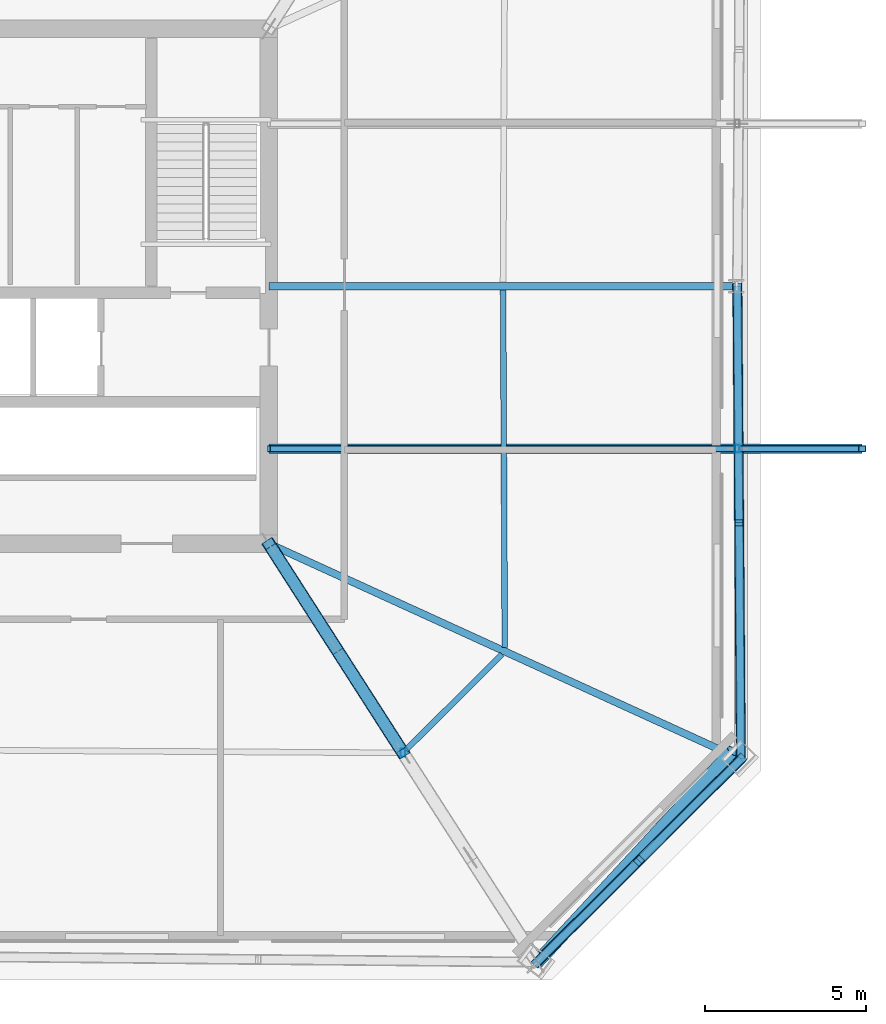
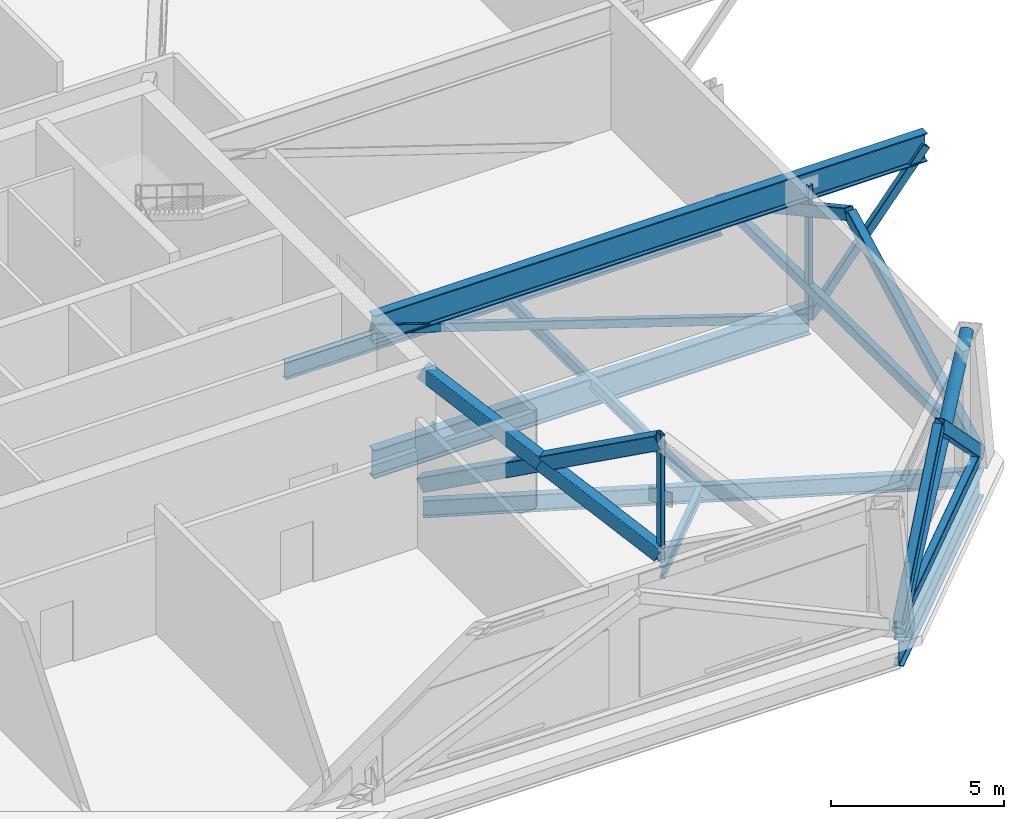
# One storey, part 4 of 15: 14 members, 7 beams.
"""IFC4 building model written with IfcOpenShell, lengths in metres."""

from ifc_helpers import new_model, si_unit, direction, frame, origin, origin_2d, place, context, subcontext, project, spatial, hollow_rectangle, hollow_circle, i_section, extrude, material, material_profile, profile_set, type_object, element, save


model = new_model("IFC4")

# Units and contexts
model_context = context("Model", 3, precision=1e-05, world=origin(), true_north=direction((0.0, 1.0)))
body_context = subcontext(model_context, "Body", "Model", "MODEL_VIEW")
ifc_project = project(units=[si_unit("LENGTHUNIT", "METRE"), si_unit("AREAUNIT", "SQUARE_METRE"), si_unit("VOLUMEUNIT", "CUBIC_METRE"), si_unit("PLANEANGLEUNIT", "RADIAN"), si_unit("MASSUNIT", "GRAM", prefix="KILO")], contexts=[model_context])

# Site, building, storey
site_placement = place(None, origin())
site = spatial("IfcSite", under=ifc_project, at=site_placement, CompositionType="ELEMENT")
building_placement = place(site_placement, origin())
building = spatial("IfcBuilding", under=site, at=building_placement, Name="Caelvoria Tower", CompositionType="ELEMENT")
storey_placement = place(building_placement, frame((0.0, 0.0, 167.199951171875)))
storey = spatial("IfcBuildingStorey", under=building, at=storey_placement, Name="L44", CompositionType="ELEMENT", Elevation=167.199951171875)

# Members
ifc_material_1 = material(Name="Structural Steel ASTM A572 Gr.50", Category="steel")
ifc_material_profile_1 = material_profile(ifc_material_1, hollow_rectangle(XDim=0.25, YDim=0.35009765625, WallThickness=0.013916015625, InnerFilletRadius=0.013916015625, OuterFilletRadius=0.028076171875, at=origin_2d()), Name="Structural Steel ASTM A572 Gr.50")
ifc_profile_set_1 = profile_set([ifc_material_profile_1], Name="HSS350X250X14 - Structural Steel ASTM A572 Gr.50")
member_type_1 = type_object("IfcMemberType", Name="Belt Truss Chord Member HSS350X250X14", PredefinedType="CHORD", material=ifc_profile_set_1)
member_1_placement = place(storey_placement, frame((63.341552734375, 10.9951171875, 0.25), z_axis=(0.708349364736, 0.705862010224, 0.0), x_axis=(-0.705862010224, 0.708349364736, 0.0)))
element("IfcMember", 1, at=member_1_placement, inside=storey, type_object=member_type_1, Name="Belt Truss Bottom Chord L44-02", PredefinedType="CHORD", context=body_context, shape_type="SweptSolid", body=[
    extrude(hollow_rectangle(XDim=0.25, YDim=0.35009765625, WallThickness=0.013916015625, InnerFilletRadius=0.013916015625, OuterFilletRadius=0.028076171875, at=origin_2d()), origin(), (0.0, 0.0, 1.0), 8.931884765625),
])
member_2_placement = place(storey_placement, frame((69.66845703125, 17.2998046875, 0.25), z_axis=(-0.007373744922, 0.999972813573, 0.0), x_axis=(-0.999972813573, -0.007373744922, 0.0)))
element("IfcMember", 2, at=member_2_placement, inside=storey, type_object=member_type_1, Name="Belt Truss Bottom Chord L44-03", PredefinedType="CHORD", context=body_context, shape_type="SweptSolid", body=[
    extrude(hollow_rectangle(XDim=0.25, YDim=0.35009765625, WallThickness=0.013916015625, InnerFilletRadius=0.013916015625, OuterFilletRadius=0.028076171875, at=origin_2d()), origin(), (0.0, 0.0, 1.0), 14.70068359375),
])
ifc_material_profile_2 = material_profile(ifc_material_1, hollow_rectangle(XDim=0.300048828125, YDim=0.39990234375, WallThickness=0.01611328125, InnerFilletRadius=0.01611328125, OuterFilletRadius=0.031982421875, at=origin_2d()), Name="Structural Steel ASTM A572 Gr.50")
ifc_profile_set_2 = profile_set([ifc_material_profile_2], Name="HSS400X300X16 - Structural Steel ASTM A572 Gr.50")
member_type_2 = type_object("IfcMemberType", Name="Belt Truss Diagonal HSS400X300X16", PredefinedType="BRACE", material=ifc_profile_set_2)
member_3_placement = place(storey_placement, frame((63.341552734375, 10.9951171875, 0.25), z_axis=(0.528797847703, 0.527002130693, 0.665313152215), x_axis=(-0.70590310466, 0.708308412227, 0.0)))
element("IfcMember", 3, at=member_3_placement, inside=storey, type_object=member_type_2, Name="Belt Truss Diagonal L44-02A", PredefinedType="BRACE", context=body_context, shape_type="SweptSolid", body=[
    extrude(hollow_rectangle(XDim=0.300048828125, YDim=0.39990234375, WallThickness=0.01611328125, InnerFilletRadius=0.01611328125, OuterFilletRadius=0.031982421875, at=origin_2d()), origin(), (0.0, 0.0, 1.0), 5.982177734375),
])
member_4_placement = place(storey_placement, frame((66.5048828125, 14.147705078125, 4.22998046875), z_axis=(0.528849993057, 0.526931799688, -0.66532741062), x_axis=(-0.705820911832, 0.708390316437, 0.0)))
element("IfcMember", 4, at=member_4_placement, inside=storey, type_object=member_type_2, Name="Belt Truss Diagonal L44-02B", PredefinedType="BRACE", context=body_context, shape_type="SweptSolid", body=[
    extrude(hollow_rectangle(XDim=0.300048828125, YDim=0.39990234375, WallThickness=0.01611328125, InnerFilletRadius=0.01611328125, OuterFilletRadius=0.031982421875, at=origin_2d()), origin(), (0.0, 0.0, 1.0), 5.98193359375),
])
for number, where, z_axis, x_axis, name in (
    (5, (69.66845703125, 17.2998046875, 0.25), (-0.006484203153, 0.879339730318, 0.476150809926), (-0.999972813573, -0.007373744922, 0.0), "Belt Truss Diagonal L44-03A"),
    (6, (69.6142578125, 24.64990234375, 4.22998046875), (-0.006484203153, 0.879339730318, -0.476150809926), (-0.999972813573, -0.007373744922, 0.0), "Belt Truss Diagonal L44-03B"),
):
    element("IfcMember", number, at=place(storey_placement, frame(where, z_axis=z_axis, x_axis=x_axis)), inside=storey, type_object=member_type_2, Name=name, PredefinedType="BRACE", context=body_context, shape_type="SweptSolid", body=[
        extrude(hollow_rectangle(XDim=0.300048828125, YDim=0.39990234375, WallThickness=0.01611328125, InnerFilletRadius=0.01611328125, OuterFilletRadius=0.031982421875, at=origin_2d()), origin(), (0.0, 0.0, 1.0), 8.358642578125),
    ])
ifc_material_profile_3 = material_profile(ifc_material_1, hollow_rectangle(XDim=0.39990234375, YDim=0.5, WallThickness=0.02197265625, InnerFilletRadius=0.02197265625, OuterFilletRadius=0.0439453125, at=origin_2d()), Name="Structural Steel ASTM A572 Gr.50")
ifc_profile_set_3 = profile_set([ifc_material_profile_3], Name="HSS500X400X22 - Structural Steel ASTM A572 Gr.50")
member_type_3 = type_object("IfcMemberType", Name="Outrigger Diagonal HSS500X400X22", PredefinedType="BRACE", material=ifc_profile_set_3)
member_5_placement = place(storey_placement, frame((55.0, 24.0, 0.25), z_axis=(0.479958044206, -0.748255827054, 0.457988529422), x_axis=(0.841722265045, 0.539910759782, 0.0)))
element("IfcMember", 7, at=member_5_placement, inside=storey, type_object=member_type_3, Name="Outrigger Truss Diagonal L44-SE-1A", PredefinedType="BRACE", context=body_context, shape_type="SweptSolid", body=[
    extrude(hollow_rectangle(XDim=0.39990234375, YDim=0.5, WallThickness=0.02197265625, InnerFilletRadius=0.02197265625, OuterFilletRadius=0.0439453125, at=origin_2d()), origin(), (0.0, 0.0, 1.0), 8.690185546875),
])
for number, where, z_axis, x_axis, name in (
    (8, (55.0, 24.0, 4.22998046875), (0.479958044206, -0.748255827054, -0.457988529422), (0.841722265045, 0.539910759782, 0.0), "Outrigger Truss Diagonal L44-SE-1B1"),
    (9, (57.08544921875, 20.748779296875, 2.239990234375), (0.479958044206, -0.748255827054, -0.457988529422), (0.841722265045, 0.539910759782, 0.0), "Outrigger Truss Diagonal L44-SE-1B2"),
):
    element("IfcMember", number, at=place(storey_placement, frame(where, z_axis=z_axis, x_axis=x_axis)), inside=storey, type_object=member_type_3, Name=name, PredefinedType="BRACE", context=body_context, shape_type="SweptSolid", body=[
        extrude(hollow_rectangle(XDim=0.39990234375, YDim=0.5, WallThickness=0.02197265625, InnerFilletRadius=0.02197265625, OuterFilletRadius=0.0439453125, at=origin_2d()), origin(), (0.0, 0.0, 1.0), 4.344970703125),
    ])

# Beams
ifc_material_2 = material(Name="Structural Steel ASTM A992 Gr.50", Category="steel")
ifc_material_profile_4 = material_profile(ifc_material_2, i_section(OverallWidth=0.30810546875, OverallDepth=0.927001953125, WebThickness=0.019287109375, FlangeThickness=0.031982421875, FilletRadius=0.02392578125, at=origin_2d()), Name="Structural Steel ASTM A992 Gr.50")
ifc_profile_set_4 = profile_set([ifc_material_profile_4], Name="W920X289 - Structural Steel ASTM A992 Gr.50")
beam_type_1 = type_object("IfcBeamType", Name="Outrigger Tie Girder W920X289", PredefinedType="BEAM", material=ifc_profile_set_4)
beam_1_placement = place(storey_placement, frame((63.341552734375, 10.9951171875, -0.783447265625), z_axis=(0.708349364736, 0.705862010224, 0.0), x_axis=(-0.705862010224, 0.708349364736, 0.0)))
element("IfcBeam", 10, at=beam_1_placement, inside=storey, type_object=beam_type_1, Name="Perimeter Spandrel Girder L44-02", PredefinedType="BEAM", context=body_context, shape_type="SweptSolid", body=[
    extrude(i_section(OverallWidth=0.30810546875, OverallDepth=0.927001953125, WebThickness=0.019287109375, FlangeThickness=0.031982421875, FilletRadius=0.02392578125, at=origin_2d()), origin(), (0.0, 0.0, 1.0), 8.931884765625),
])
ifc_material_profile_5 = material_profile(ifc_material_2, i_section(OverallWidth=0.22802734375, OverallDepth=0.60302734375, WebThickness=0.010498046875, FlangeThickness=0.014892578125, FilletRadius=0.01806640625, at=origin_2d()), Name="Structural Steel ASTM A992 Gr.50")
ifc_profile_set_5 = profile_set([ifc_material_profile_5], Name="W610X101 - Structural Steel ASTM A992 Gr.50")
beam_type_2 = type_object("IfcBeamType", Name="Primary Floor Girder W610X101", PredefinedType="BEAM", material=ifc_profile_set_5)
beam_2_placement = place(storey_placement, frame((55.0, 24.0, -0.621337890625), z_axis=(0.909600700285, -0.415483532816, 0.0), x_axis=(0.415483532816, 0.909600700285, 0.0)))
element("IfcBeam", 11, at=beam_2_placement, inside=storey, type_object=beam_type_2, Name="Primary Floor Girder L44-03", PredefinedType="BEAM", context=body_context, shape_type="SweptSolid", body=[
    extrude(i_section(OverallWidth=0.22802734375, OverallDepth=0.60302734375, WebThickness=0.010498046875, FlangeThickness=0.014892578125, FilletRadius=0.01806640625, at=origin_2d()), origin(), (0.0, 0.0, 1.0), 16.126220703125),
])
beam_3_placement = place(storey_placement, frame((55.0, 32.0, -0.621337890625), z_axis=(1.0, 0.0, 0.0), x_axis=(0.0, 1.0, 0.0)))
element("IfcBeam", 12, at=beam_3_placement, inside=storey, type_object=beam_type_2, Name="Primary Floor Girder L44-04", PredefinedType="BEAM", context=body_context, shape_type="SweptSolid", body=[
    extrude(i_section(OverallWidth=0.22802734375, OverallDepth=0.60302734375, WebThickness=0.010498046875, FlangeThickness=0.014892578125, FilletRadius=0.01806640625, at=origin_2d()), origin(), (0.0, 0.0, 1.0), 14.56005859375),
])
ifc_material_profile_6 = material_profile(ifc_material_2, i_section(OverallWidth=0.177978515625, OverallDepth=0.406982421875, WebThickness=0.0078125, FlangeThickness=0.0126953125, FilletRadius=0.013916015625, at=origin_2d()), Name="Structural Steel ASTM A992 Gr.50")
ifc_profile_set_6 = profile_set([ifc_material_profile_6], Name="W410X60 - Structural Steel ASTM A992 Gr.50")
beam_type_3 = type_object("IfcBeamType", Name="Secondary Floor Beam W410X60", PredefinedType="BEAM", material=ifc_profile_set_6)
beam_4_placement = place(storey_placement, frame((59.25927734375, 17.585693359375, -0.5234375), z_axis=(0.708321788303, 0.705889682751, 0.0), x_axis=(-0.705889682751, 0.708321788303, 0.0)))
element("IfcBeam", 13, at=beam_4_placement, inside=storey, type_object=beam_type_3, Name="Secondary Floor Beam L44-02", PredefinedType="BEAM", context=body_context, shape_type="SweptSolid", body=[
    extrude(i_section(OverallWidth=0.177978515625, OverallDepth=0.406982421875, WebThickness=0.0078125, FlangeThickness=0.0126953125, FilletRadius=0.013916015625, at=origin_2d()), origin(), (0.0, 0.0, 1.0), 4.216064453125),
])
beam_5_placement = place(storey_placement, frame((62.33349609375, 20.77490234375, -0.5234375), z_axis=(-0.004772742895, 0.999988610398, 0.0), x_axis=(-0.999988610398, -0.004772742895, 0.0)))
element("IfcBeam", 14, at=beam_5_placement, inside=storey, type_object=beam_type_3, Name="Secondary Floor Beam L44-03", PredefinedType="BEAM", context=body_context, shape_type="SweptSolid", body=[
    extrude(i_section(OverallWidth=0.177978515625, OverallDepth=0.406982421875, WebThickness=0.0078125, FlangeThickness=0.0126953125, FilletRadius=0.013916015625, at=origin_2d()), origin(), (0.0, 0.0, 1.0), 11.100341796875),
])
ifc_material_3 = material(Name="Structural Steel ASTM A913 Gr.65", Category="steel")
ifc_material_profile_7 = material_profile(ifc_material_3, i_section(OverallWidth=0.300048828125, OverallDepth=1.0, WebThickness=0.02099609375, FlangeThickness=0.035888671875, FilletRadius=0.02490234375, at=origin_2d()), Name="Structural Steel ASTM A913 Gr.65")
ifc_profile_set_7 = profile_set([ifc_material_profile_7], Name="W1000X371 - Structural Steel ASTM A913 Gr.65")
beam_type_4 = type_object("IfcBeamType", Name="Sky Pool Cantilever Chord W1000X371", PredefinedType="BEAM", material=ifc_profile_set_7)
beam_6_placement = place(storey_placement, frame((55.0, 26.949951171875, 3.9150390625), z_axis=(1.0, 0.0, 0.0), x_axis=(0.0, 1.0, 0.0)))
element("IfcBeam", 15, at=beam_6_placement, inside=storey, type_object=beam_type_4, Name="Sky Pool Cantilever Top Chord S", PredefinedType="BEAM", context=body_context, shape_type="SweptSolid", body=[
    extrude(i_section(OverallWidth=0.300048828125, OverallDepth=1.0, WebThickness=0.02099609375, FlangeThickness=0.035888671875, FilletRadius=0.02490234375, at=origin_2d()), origin(), (0.0, 0.0, 1.0), 18.43994140625),
])
beam_7_placement = place(storey_placement, frame((55.0, 26.949951171875, -0.824951171875), z_axis=(1.0, 0.0, 0.0), x_axis=(0.0, 1.0, 0.0)))
element("IfcBeam", 16, at=beam_7_placement, inside=storey, type_object=beam_type_4, Name="Sky Pool Cantilever Bottom Chord S", PredefinedType="BEAM", context=body_context, shape_type="SweptSolid", body=[
    extrude(i_section(OverallWidth=0.300048828125, OverallDepth=1.0, WebThickness=0.02099609375, FlangeThickness=0.035888671875, FilletRadius=0.02490234375, at=origin_2d()), origin(), (0.0, 0.0, 1.0), 14.56005859375),
])

# Members
ifc_material_profile_8 = material_profile(ifc_material_1, hollow_rectangle(XDim=0.199951171875, YDim=0.300048828125, WallThickness=0.012451171875, InnerFilletRadius=0.012451171875, OuterFilletRadius=0.02490234375, at=origin_2d()), Name="Structural Steel ASTM A572 Gr.50")
ifc_profile_set_8 = profile_set([ifc_material_profile_8], Name="HSS300X200X12.5 - Structural Steel ASTM A572 Gr.50")
member_type_4 = type_object("IfcMemberType", Name="Sky Pool Truss Diagonal HSS300X200X12.5", PredefinedType="BRACE", material=ifc_profile_set_8)
member_6_placement = place(storey_placement, frame((69.56005859375, 26.949951171875, -0.824951171875), z_axis=(0.633404897986, 0.0, 0.773820544576), x_axis=(0.0, 1.0, 0.0)))
element("IfcMember", 17, at=member_6_placement, inside=storey, type_object=member_type_4, Name="Sky Pool Cantilever Raking Strut S", PredefinedType="BRACE", context=body_context, shape_type="SweptSolid", body=[
    extrude(hollow_rectangle(XDim=0.199951171875, YDim=0.300048828125, WallThickness=0.012451171875, InnerFilletRadius=0.012451171875, OuterFilletRadius=0.02490234375, at=origin_2d()), origin(), (0.0, 0.0, 1.0), 6.12548828125),
])
member_7_placement = place(storey_placement, frame((55.0, 26.949951171875, 3.9150390625), z_axis=(0.950880927397, 0.0, -0.309556879932), x_axis=(0.0, 1.0, 0.0)))
element("IfcMember", 18, at=member_7_placement, inside=storey, type_object=member_type_4, Name="Sky Pool Back-Span Diagonal S", PredefinedType="BRACE", context=body_context, shape_type="SweptSolid", body=[
    extrude(hollow_rectangle(XDim=0.199951171875, YDim=0.300048828125, WallThickness=0.012451171875, InnerFilletRadius=0.012451171875, OuterFilletRadius=0.02490234375, at=origin_2d()), origin(), (0.0, 0.0, 1.0), 15.312255859375),
])
ifc_material_profile_9 = material_profile(ifc_material_1, hollow_rectangle(XDim=0.14990234375, YDim=0.25, WallThickness=0.010009765625, InnerFilletRadius=0.010009765625, OuterFilletRadius=0.02001953125, at=origin_2d()), Name="Structural Steel ASTM A572 Gr.50")
ifc_profile_set_9 = profile_set([ifc_material_profile_9], Name="HSS250X150X10 - Structural Steel ASTM A572 Gr.50")
member_type_5 = type_object("IfcMemberType", Name="Sky Pool Truss Post HSS250X150X10", PredefinedType="POST", material=ifc_profile_set_9)
member_8_placement = place(storey_placement, frame((59.1708984375, 17.49755859375, 0.0), z_axis=(0.0, 0.0, 1.0), x_axis=(1.0, 0.0, 0.0)))
element("IfcMember", 19, at=member_8_placement, inside=storey, type_object=member_type_5, Name="Outrigger Mid-Panel Post L44-SE", PredefinedType="POST", context=body_context, shape_type="SweptSolid", body=[
    extrude(hollow_rectangle(XDim=0.14990234375, YDim=0.25, WallThickness=0.010009765625, InnerFilletRadius=0.010009765625, OuterFilletRadius=0.02001953125, at=origin_2d()), origin(), (0.0, 0.0, 1.0), 4.47998046875),
])
member_9_placement = place(storey_placement, frame((69.56005859375, 26.949951171875, -0.824951171875), z_axis=(0.0, 0.0, 1.0), x_axis=(1.0, 0.0, 0.0)))
element("IfcMember", 20, at=member_9_placement, inside=storey, type_object=member_type_5, Name="Sky Pool Fulcrum Post S", PredefinedType="POST", context=body_context, shape_type="SweptSolid", body=[
    extrude(hollow_rectangle(XDim=0.14990234375, YDim=0.25, WallThickness=0.010009765625, InnerFilletRadius=0.010009765625, OuterFilletRadius=0.02001953125, at=origin_2d()), origin(), (0.0, 0.0, 1.0), 4.739990234375),
])
ifc_material_profile_10 = material_profile(ifc_material_1, hollow_circle(Radius=0.202880859375, WallThickness=0.01611328125, at=origin_2d()), Name="Structural Steel ASTM A572 Gr.50")
ifc_profile_set_10 = profile_set([ifc_material_profile_10], Name="CHS406X16 - Structural Steel ASTM A572 Gr.50")
member_type_6 = type_object("IfcMemberType", Name="Upper Perimeter Mega Brace CHS406X16", PredefinedType="BRACE", material=ifc_profile_set_10)
member_10_placement = place(storey_placement, frame((63.341552734375, 10.9951171875, 0.0), z_axis=(0.606763280143, 0.65651078675, 0.448142732567), x_axis=(-0.734383310325, 0.678734965591, 0.0)))
element("IfcMember", 21, at=member_10_placement, inside=storey, type_object=member_type_6, Name="Perimeter Chamfer Mega Brace L44 SE", PredefinedType="BRACE", context=body_context, shape_type="SweptSolid", body=[
    extrude(hollow_circle(Radius=0.202880859375, WallThickness=0.01611328125, at=origin_2d()), origin(), (0.0, 0.0, 1.0), 9.996826171875),
])

save(model, "model.ifc")
